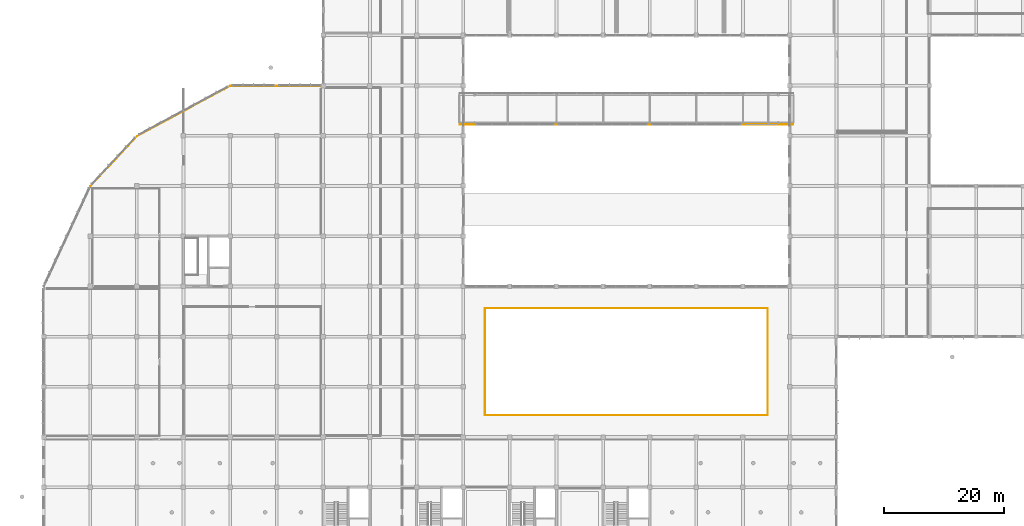
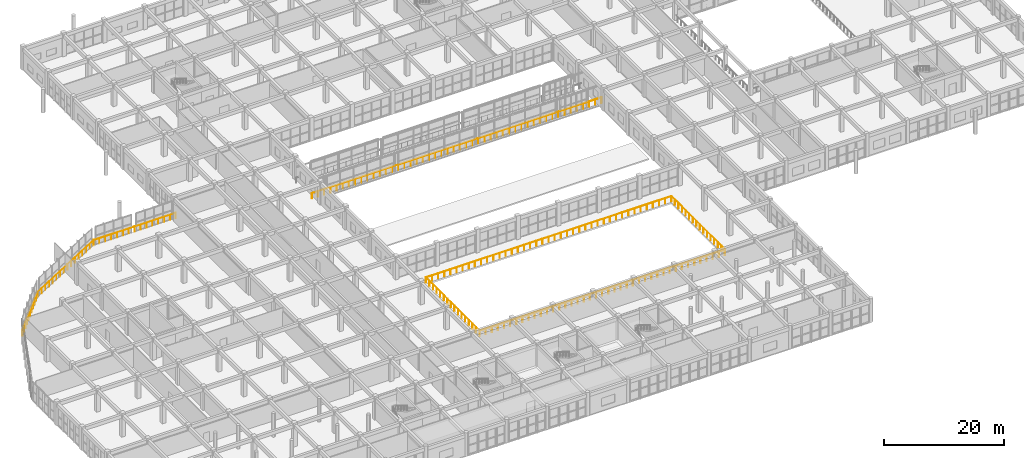
# One storey, part 164 of 167: 8 railings.
"""IFC4 building model written with IfcOpenShell, lengths in metres."""

from ifc_helpers import new_model, si_unit, direction, frame, origin, origin_2d, place, context, subcontext, project, spatial, hollow_rectangle, circle, extrude, material, material_profile, profile_set, type_object, element, save


model = new_model("IFC4")

# Units and contexts
model_context = context("Model", 3, precision=1e-05, world=origin(), true_north=direction((0.0, 1.0)))
body_context = subcontext(model_context, "Body", "Model", "MODEL_VIEW")
ifc_project = project(units=[si_unit("LENGTHUNIT", "METRE"), si_unit("AREAUNIT", "SQUARE_METRE"), si_unit("VOLUMEUNIT", "CUBIC_METRE"), si_unit("PLANEANGLEUNIT", "RADIAN"), si_unit("MASSUNIT", "GRAM", prefix="KILO")], contexts=[model_context])

# Site, building, storey
site_placement = place(None, origin())
site = spatial("IfcSite", under=ifc_project, at=site_placement, CompositionType="ELEMENT")
building_placement = place(site_placement, origin())
building = spatial("IfcBuilding", under=site, at=building_placement, Name="Zizhar Promenade General Hospital", CompositionType="ELEMENT")
storey_placement = place(building_placement, frame((0.0, 0.0, 9.60009765625)))
storey = spatial("IfcBuildingStorey", under=building, at=storey_placement, Name="L02", CompositionType="ELEMENT", Elevation=9.60009765625)

# Railings
ifc_material_1 = material(Name="Anodised aluminium 6063-T6 and glass", Category="aluminium")
ifc_material_profile_1 = material_profile(ifc_material_1, hollow_rectangle(XDim=0.06005859375, YDim=0.1201171875, WallThickness=0.00390625, at=origin_2d()))
ifc_profile_set_1 = profile_set([ifc_material_profile_1], Name="Anodised aluminium 6063-T6 and glass")
railing_type_1 = type_object("IfcRailingType", Name="RL-ATRIUM-GUARD-1150", PredefinedType="GUARDRAIL", material=ifc_profile_set_1)
railing_1_placement = place(storey_placement, frame((73.85009765625, 28.85009765625, 0.0)))
element("IfcRailing", 1, at=railing_1_placement, inside=storey, type_object=railing_type_1, Name="Main Hall Atrium Void Guardrail L02-1", PredefinedType="GUARDRAIL", context=body_context, shape_type="SweptSolid", body=[
    extrude(circle(Radius=0.02392578125, at=origin_2d()), frame((0.0, 0.0, 1.1259765625), z_axis=(1.0, 0.0, 0.0), x_axis=(0.0, 1.0, 0.0)), (0.0, 0.0, 1.0), 47.2998046875),
    extrude(circle(Radius=0.02099609375, at=origin_2d()), origin(), (0.0, 0.0, 1.0), 1.101806640625),
    extrude(circle(Radius=0.02099609375, at=origin_2d()), frame((1.1826171875, 0.0, 0.0)), (0.0, 0.0, 1.0), 1.101806640625),
    extrude(circle(Radius=0.02099609375, at=origin_2d()), frame((2.364990234375, 0.0, 0.0)), (0.0, 0.0, 1.0), 1.101806640625),
    extrude(circle(Radius=0.02099609375, at=origin_2d()), frame((3.54736328125, 0.0, 0.0)), (0.0, 0.0, 1.0), 1.101806640625),
    extrude(circle(Radius=0.02099609375, at=origin_2d()), frame((4.72998046875, 0.0, 0.0)), (0.0, 0.0, 1.0), 1.101806640625),
    extrude(circle(Radius=0.02099609375, at=origin_2d()), frame((5.91259765625, 0.0, 0.0)), (0.0, 0.0, 1.0), 1.101806640625),
    extrude(circle(Radius=0.02099609375, at=origin_2d()), frame((7.094970703125, 0.0, 0.0)), (0.0, 0.0, 1.0), 1.101806640625),
    extrude(circle(Radius=0.02099609375, at=origin_2d()), frame((8.27734375, 0.0, 0.0)), (0.0, 0.0, 1.0), 1.101806640625),
    extrude(circle(Radius=0.02099609375, at=origin_2d()), frame((9.4599609375, 0.0, 0.0)), (0.0, 0.0, 1.0), 1.101806640625),
    extrude(circle(Radius=0.02099609375, at=origin_2d()), frame((10.642578125, 0.0, 0.0)), (0.0, 0.0, 1.0), 1.101806640625),
    extrude(circle(Radius=0.02099609375, at=origin_2d()), frame((11.824951171875, 0.0, 0.0)), (0.0, 0.0, 1.0), 1.101806640625),
    extrude(circle(Radius=0.02099609375, at=origin_2d()), frame((13.007568359375, 0.0, 0.0)), (0.0, 0.0, 1.0), 1.101806640625),
    extrude(circle(Radius=0.02099609375, at=origin_2d()), frame((14.18994140625, 0.0, 0.0)), (0.0, 0.0, 1.0), 1.101806640625),
    extrude(circle(Radius=0.02099609375, at=origin_2d()), frame((15.37255859375, 0.0, 0.0)), (0.0, 0.0, 1.0), 1.101806640625),
    extrude(circle(Radius=0.02099609375, at=origin_2d()), frame((16.554931640625, 0.0, 0.0)), (0.0, 0.0, 1.0), 1.101806640625),
    extrude(circle(Radius=0.02099609375, at=origin_2d()), frame((17.7373046875, 0.0, 0.0)), (0.0, 0.0, 1.0), 1.101806640625),
    extrude(circle(Radius=0.02099609375, at=origin_2d()), frame((18.919921875, 0.0, 0.0)), (0.0, 0.0, 1.0), 1.101806640625),
    extrude(circle(Radius=0.02099609375, at=origin_2d()), frame((20.1025390625, 0.0, 0.0)), (0.0, 0.0, 1.0), 1.101806640625),
    extrude(circle(Radius=0.02099609375, at=origin_2d()), frame((21.284912109375, 0.0, 0.0)), (0.0, 0.0, 1.0), 1.101806640625),
    extrude(circle(Radius=0.02099609375, at=origin_2d()), frame((22.46728515625, 0.0, 0.0)), (0.0, 0.0, 1.0), 1.101806640625),
    extrude(circle(Radius=0.02099609375, at=origin_2d()), frame((23.64990234375, 0.0, 0.0)), (0.0, 0.0, 1.0), 1.101806640625),
    extrude(circle(Radius=0.02099609375, at=origin_2d()), frame((24.83251953125, 0.0, 0.0)), (0.0, 0.0, 1.0), 1.101806640625),
    extrude(circle(Radius=0.02099609375, at=origin_2d()), frame((26.014892578125, 0.0, 0.0)), (0.0, 0.0, 1.0), 1.101806640625),
    extrude(circle(Radius=0.02099609375, at=origin_2d()), frame((27.197265625, 0.0, 0.0)), (0.0, 0.0, 1.0), 1.101806640625),
    extrude(circle(Radius=0.02099609375, at=origin_2d()), frame((28.3798828125, 0.0, 0.0)), (0.0, 0.0, 1.0), 1.101806640625),
    extrude(circle(Radius=0.02099609375, at=origin_2d()), frame((29.5625, 0.0, 0.0)), (0.0, 0.0, 1.0), 1.101806640625),
    extrude(circle(Radius=0.02099609375, at=origin_2d()), frame((30.744873046875, 0.0, 0.0)), (0.0, 0.0, 1.0), 1.101806640625),
    extrude(circle(Radius=0.02099609375, at=origin_2d()), frame((31.927490234375, 0.0, 0.0)), (0.0, 0.0, 1.0), 1.101806640625),
    extrude(circle(Radius=0.02099609375, at=origin_2d()), frame((33.10986328125, 0.0, 0.0)), (0.0, 0.0, 1.0), 1.101806640625),
    extrude(circle(Radius=0.02099609375, at=origin_2d()), frame((34.29248046875, 0.0, 0.0)), (0.0, 0.0, 1.0), 1.101806640625),
    extrude(circle(Radius=0.02099609375, at=origin_2d()), frame((35.474853515625, 0.0, 0.0)), (0.0, 0.0, 1.0), 1.101806640625),
    extrude(circle(Radius=0.02099609375, at=origin_2d()), frame((36.6572265625, 0.0, 0.0)), (0.0, 0.0, 1.0), 1.101806640625),
    extrude(circle(Radius=0.02099609375, at=origin_2d()), frame((37.83984375, 0.0, 0.0)), (0.0, 0.0, 1.0), 1.101806640625),
    extrude(circle(Radius=0.02099609375, at=origin_2d()), frame((39.0224609375, 0.0, 0.0)), (0.0, 0.0, 1.0), 1.101806640625),
    extrude(circle(Radius=0.02099609375, at=origin_2d()), frame((40.204833984375, 0.0, 0.0)), (0.0, 0.0, 1.0), 1.101806640625),
    extrude(circle(Radius=0.02099609375, at=origin_2d()), frame((41.38720703125, 0.0, 0.0)), (0.0, 0.0, 1.0), 1.101806640625),
    extrude(circle(Radius=0.02099609375, at=origin_2d()), frame((42.56982421875, 0.0, 0.0)), (0.0, 0.0, 1.0), 1.101806640625),
    extrude(circle(Radius=0.02099609375, at=origin_2d()), frame((43.75244140625, 0.0, 0.0)), (0.0, 0.0, 1.0), 1.101806640625),
    extrude(circle(Radius=0.02099609375, at=origin_2d()), frame((44.934814453125, 0.0, 0.0)), (0.0, 0.0, 1.0), 1.101806640625),
    extrude(circle(Radius=0.02099609375, at=origin_2d()), frame((46.1171875, 0.0, 0.0)), (0.0, 0.0, 1.0), 1.101806640625),
    extrude(circle(Radius=0.02099609375, at=origin_2d()), frame((47.2998046875, 0.0, 0.0)), (0.0, 0.0, 1.0), 1.101806640625),
])
railing_2_placement = place(storey_placement, frame((121.14990234375, 28.85009765625, 0.0)))
element("IfcRailing", 2, at=railing_2_placement, inside=storey, type_object=railing_type_1, Name="Main Hall Atrium Void Guardrail L02-2", PredefinedType="GUARDRAIL", context=body_context, shape_type="SweptSolid", body=[
    extrude(circle(Radius=0.02392578125, at=origin_2d()), frame((0.0, 0.0, 1.1259765625), z_axis=(0.0, 1.0, 0.0), x_axis=(-1.0, 0.0, 0.0)), (0.0, 0.0, 1.0), 17.89990234375),
    extrude(circle(Radius=0.02099609375, at=origin_2d()), origin(), (0.0, 0.0, 1.0), 1.101806640625),
    extrude(circle(Radius=0.02099609375, at=origin_2d()), frame((0.0, 1.193359375, 0.0)), (0.0, 0.0, 1.0), 1.101806640625),
    extrude(circle(Radius=0.02099609375, at=origin_2d()), frame((0.0, 2.38671875, 0.0)), (0.0, 0.0, 1.0), 1.101806640625),
    extrude(circle(Radius=0.02099609375, at=origin_2d()), frame((0.0, 3.580078125, 0.0)), (0.0, 0.0, 1.0), 1.101806640625),
    extrude(circle(Radius=0.02099609375, at=origin_2d()), frame((0.0, 4.773193359375, 0.0)), (0.0, 0.0, 1.0), 1.101806640625),
    extrude(circle(Radius=0.02099609375, at=origin_2d()), frame((0.0, 5.966552734375, 0.0)), (0.0, 0.0, 1.0), 1.101806640625),
    extrude(circle(Radius=0.02099609375, at=origin_2d()), frame((0.0, 7.159912109375, 0.0)), (0.0, 0.0, 1.0), 1.101806640625),
    extrude(circle(Radius=0.02099609375, at=origin_2d()), frame((0.0, 8.353271484375, 0.0)), (0.0, 0.0, 1.0), 1.101806640625),
    extrude(circle(Radius=0.02099609375, at=origin_2d()), frame((0.0, 9.546630859375, 0.0)), (0.0, 0.0, 1.0), 1.101806640625),
    extrude(circle(Radius=0.02099609375, at=origin_2d()), frame((0.0, 10.739990234375, 0.0)), (0.0, 0.0, 1.0), 1.101806640625),
    extrude(circle(Radius=0.02099609375, at=origin_2d()), frame((0.0, 11.933349609375, 0.0)), (0.0, 0.0, 1.0), 1.101806640625),
    extrude(circle(Radius=0.02099609375, at=origin_2d()), frame((0.0, 13.126708984375, 0.0)), (0.0, 0.0, 1.0), 1.101806640625),
    extrude(circle(Radius=0.02099609375, at=origin_2d()), frame((0.0, 14.31982421875, 0.0)), (0.0, 0.0, 1.0), 1.101806640625),
    extrude(circle(Radius=0.02099609375, at=origin_2d()), frame((0.0, 15.51318359375, 0.0)), (0.0, 0.0, 1.0), 1.101806640625),
    extrude(circle(Radius=0.02099609375, at=origin_2d()), frame((0.0, 16.70654296875, 0.0)), (0.0, 0.0, 1.0), 1.101806640625),
    extrude(circle(Radius=0.02099609375, at=origin_2d()), frame((0.0, 17.89990234375, 0.0)), (0.0, 0.0, 1.0), 1.101806640625),
])
railing_3_placement = place(storey_placement, frame((121.14990234375, 46.75, 0.0)))
element("IfcRailing", 3, at=railing_3_placement, inside=storey, type_object=railing_type_1, Name="Main Hall Atrium Void Guardrail L02-3", PredefinedType="GUARDRAIL", context=body_context, shape_type="SweptSolid", body=[
    extrude(circle(Radius=0.02392578125, at=origin_2d()), frame((0.0, 0.0, 1.1259765625), z_axis=(-1.0, 0.0, 0.0), x_axis=(0.0, -1.0, 0.0)), (0.0, 0.0, 1.0), 47.2998046875),
    extrude(circle(Radius=0.02099609375, at=origin_2d()), origin(), (0.0, 0.0, 1.0), 1.101806640625),
    extrude(circle(Radius=0.02099609375, at=origin_2d()), frame((-1.1826171875, 0.0, 0.0)), (0.0, 0.0, 1.0), 1.101806640625),
    extrude(circle(Radius=0.02099609375, at=origin_2d()), frame((-2.364990234375, 0.0, 0.0)), (0.0, 0.0, 1.0), 1.101806640625),
    extrude(circle(Radius=0.02099609375, at=origin_2d()), frame((-3.54736328125, 0.0, 0.0)), (0.0, 0.0, 1.0), 1.101806640625),
    extrude(circle(Radius=0.02099609375, at=origin_2d()), frame((-4.72998046875, 0.0, 0.0)), (0.0, 0.0, 1.0), 1.101806640625),
    extrude(circle(Radius=0.02099609375, at=origin_2d()), frame((-5.91259765625, 0.0, 0.0)), (0.0, 0.0, 1.0), 1.101806640625),
    extrude(circle(Radius=0.02099609375, at=origin_2d()), frame((-7.094970703125, 0.0, 0.0)), (0.0, 0.0, 1.0), 1.101806640625),
    extrude(circle(Radius=0.02099609375, at=origin_2d()), frame((-8.27734375, 0.0, 0.0)), (0.0, 0.0, 1.0), 1.101806640625),
    extrude(circle(Radius=0.02099609375, at=origin_2d()), frame((-9.4599609375, 0.0, 0.0)), (0.0, 0.0, 1.0), 1.101806640625),
    extrude(circle(Radius=0.02099609375, at=origin_2d()), frame((-10.642578125, 0.0, 0.0)), (0.0, 0.0, 1.0), 1.101806640625),
    extrude(circle(Radius=0.02099609375, at=origin_2d()), frame((-11.824951171875, 0.0, 0.0)), (0.0, 0.0, 1.0), 1.101806640625),
    extrude(circle(Radius=0.02099609375, at=origin_2d()), frame((-13.007568359375, 0.0, 0.0)), (0.0, 0.0, 1.0), 1.101806640625),
    extrude(circle(Radius=0.02099609375, at=origin_2d()), frame((-14.18994140625, 0.0, 0.0)), (0.0, 0.0, 1.0), 1.101806640625),
    extrude(circle(Radius=0.02099609375, at=origin_2d()), frame((-15.37255859375, 0.0, 0.0)), (0.0, 0.0, 1.0), 1.101806640625),
    extrude(circle(Radius=0.02099609375, at=origin_2d()), frame((-16.554931640625, 0.0, 0.0)), (0.0, 0.0, 1.0), 1.101806640625),
    extrude(circle(Radius=0.02099609375, at=origin_2d()), frame((-17.7373046875, 0.0, 0.0)), (0.0, 0.0, 1.0), 1.101806640625),
    extrude(circle(Radius=0.02099609375, at=origin_2d()), frame((-18.919921875, 0.0, 0.0)), (0.0, 0.0, 1.0), 1.101806640625),
    extrude(circle(Radius=0.02099609375, at=origin_2d()), frame((-20.1025390625, 0.0, 0.0)), (0.0, 0.0, 1.0), 1.101806640625),
    extrude(circle(Radius=0.02099609375, at=origin_2d()), frame((-21.284912109375, 0.0, 0.0)), (0.0, 0.0, 1.0), 1.101806640625),
    extrude(circle(Radius=0.02099609375, at=origin_2d()), frame((-22.46728515625, 0.0, 0.0)), (0.0, 0.0, 1.0), 1.101806640625),
    extrude(circle(Radius=0.02099609375, at=origin_2d()), frame((-23.64990234375, 0.0, 0.0)), (0.0, 0.0, 1.0), 1.101806640625),
    extrude(circle(Radius=0.02099609375, at=origin_2d()), frame((-24.83251953125, 0.0, 0.0)), (0.0, 0.0, 1.0), 1.101806640625),
    extrude(circle(Radius=0.02099609375, at=origin_2d()), frame((-26.014892578125, 0.0, 0.0)), (0.0, 0.0, 1.0), 1.101806640625),
    extrude(circle(Radius=0.02099609375, at=origin_2d()), frame((-27.197265625, 0.0, 0.0)), (0.0, 0.0, 1.0), 1.101806640625),
    extrude(circle(Radius=0.02099609375, at=origin_2d()), frame((-28.3798828125, 0.0, 0.0)), (0.0, 0.0, 1.0), 1.101806640625),
    extrude(circle(Radius=0.02099609375, at=origin_2d()), frame((-29.5625, 0.0, 0.0)), (0.0, 0.0, 1.0), 1.101806640625),
    extrude(circle(Radius=0.02099609375, at=origin_2d()), frame((-30.744873046875, 0.0, 0.0)), (0.0, 0.0, 1.0), 1.101806640625),
    extrude(circle(Radius=0.02099609375, at=origin_2d()), frame((-31.927490234375, 0.0, 0.0)), (0.0, 0.0, 1.0), 1.101806640625),
    extrude(circle(Radius=0.02099609375, at=origin_2d()), frame((-33.10986328125, 0.0, 0.0)), (0.0, 0.0, 1.0), 1.101806640625),
    extrude(circle(Radius=0.02099609375, at=origin_2d()), frame((-34.29248046875, 0.0, 0.0)), (0.0, 0.0, 1.0), 1.101806640625),
    extrude(circle(Radius=0.02099609375, at=origin_2d()), frame((-35.474853515625, 0.0, 0.0)), (0.0, 0.0, 1.0), 1.101806640625),
    extrude(circle(Radius=0.02099609375, at=origin_2d()), frame((-36.6572265625, 0.0, 0.0)), (0.0, 0.0, 1.0), 1.101806640625),
    extrude(circle(Radius=0.02099609375, at=origin_2d()), frame((-37.83984375, 0.0, 0.0)), (0.0, 0.0, 1.0), 1.101806640625),
    extrude(circle(Radius=0.02099609375, at=origin_2d()), frame((-39.0224609375, 0.0, 0.0)), (0.0, 0.0, 1.0), 1.101806640625),
    extrude(circle(Radius=0.02099609375, at=origin_2d()), frame((-40.204833984375, 0.0, 0.0)), (0.0, 0.0, 1.0), 1.101806640625),
    extrude(circle(Radius=0.02099609375, at=origin_2d()), frame((-41.38720703125, 0.0, 0.0)), (0.0, 0.0, 1.0), 1.101806640625),
    extrude(circle(Radius=0.02099609375, at=origin_2d()), frame((-42.56982421875, 0.0, 0.0)), (0.0, 0.0, 1.0), 1.101806640625),
    extrude(circle(Radius=0.02099609375, at=origin_2d()), frame((-43.75244140625, 0.0, 0.0)), (0.0, 0.0, 1.0), 1.101806640625),
    extrude(circle(Radius=0.02099609375, at=origin_2d()), frame((-44.934814453125, 0.0, 0.0)), (0.0, 0.0, 1.0), 1.101806640625),
    extrude(circle(Radius=0.02099609375, at=origin_2d()), frame((-46.1171875, 0.0, 0.0)), (0.0, 0.0, 1.0), 1.101806640625),
    extrude(circle(Radius=0.02099609375, at=origin_2d()), frame((-47.2998046875, 0.0, 0.0)), (0.0, 0.0, 1.0), 1.101806640625),
])
railing_4_placement = place(storey_placement, frame((73.85009765625, 46.75, 0.0)))
element("IfcRailing", 4, at=railing_4_placement, inside=storey, type_object=railing_type_1, Name="Main Hall Atrium Void Guardrail L02-4", PredefinedType="GUARDRAIL", context=body_context, shape_type="SweptSolid", body=[
    extrude(circle(Radius=0.02392578125, at=origin_2d()), frame((0.0, 0.0, 1.1259765625), z_axis=(0.0, -1.0, 0.0), x_axis=(1.0, 0.0, 0.0)), (0.0, 0.0, 1.0), 17.89990234375),
    extrude(circle(Radius=0.02099609375, at=origin_2d()), origin(), (0.0, 0.0, 1.0), 1.101806640625),
    extrude(circle(Radius=0.02099609375, at=origin_2d()), frame((0.0, -1.193359375, 0.0)), (0.0, 0.0, 1.0), 1.101806640625),
    extrude(circle(Radius=0.02099609375, at=origin_2d()), frame((0.0, -2.38671875, 0.0)), (0.0, 0.0, 1.0), 1.101806640625),
    extrude(circle(Radius=0.02099609375, at=origin_2d()), frame((0.0, -3.580078125, 0.0)), (0.0, 0.0, 1.0), 1.101806640625),
    extrude(circle(Radius=0.02099609375, at=origin_2d()), frame((0.0, -4.773193359375, 0.0)), (0.0, 0.0, 1.0), 1.101806640625),
    extrude(circle(Radius=0.02099609375, at=origin_2d()), frame((0.0, -5.966552734375, 0.0)), (0.0, 0.0, 1.0), 1.101806640625),
    extrude(circle(Radius=0.02099609375, at=origin_2d()), frame((0.0, -7.159912109375, 0.0)), (0.0, 0.0, 1.0), 1.101806640625),
    extrude(circle(Radius=0.02099609375, at=origin_2d()), frame((0.0, -8.353271484375, 0.0)), (0.0, 0.0, 1.0), 1.101806640625),
    extrude(circle(Radius=0.02099609375, at=origin_2d()), frame((0.0, -9.546630859375, 0.0)), (0.0, 0.0, 1.0), 1.101806640625),
    extrude(circle(Radius=0.02099609375, at=origin_2d()), frame((0.0, -10.739990234375, 0.0)), (0.0, 0.0, 1.0), 1.101806640625),
    extrude(circle(Radius=0.02099609375, at=origin_2d()), frame((0.0, -11.933349609375, 0.0)), (0.0, 0.0, 1.0), 1.101806640625),
    extrude(circle(Radius=0.02099609375, at=origin_2d()), frame((0.0, -13.126708984375, 0.0)), (0.0, 0.0, 1.0), 1.101806640625),
    extrude(circle(Radius=0.02099609375, at=origin_2d()), frame((0.0, -14.31982421875, 0.0)), (0.0, 0.0, 1.0), 1.101806640625),
    extrude(circle(Radius=0.02099609375, at=origin_2d()), frame((0.0, -15.51318359375, 0.0)), (0.0, 0.0, 1.0), 1.101806640625),
    extrude(circle(Radius=0.02099609375, at=origin_2d()), frame((0.0, -16.70654296875, 0.0)), (0.0, 0.0, 1.0), 1.101806640625),
    extrude(circle(Radius=0.02099609375, at=origin_2d()), frame((0.0, -17.89990234375, 0.0)), (0.0, 0.0, 1.0), 1.101806640625),
])
ifc_material_2 = material(Name="Steel S355", Category="steel")
ifc_material_profile_2 = material_profile(ifc_material_2, hollow_rectangle(XDim=0.06005859375, YDim=0.1201171875, WallThickness=0.00390625, at=origin_2d()))
ifc_profile_set_2 = profile_set([ifc_material_profile_2], Name="Steel S355")
railing_type_2 = type_object("IfcRailingType", Name="RL-GUARD-EXT-1150", PredefinedType="GUARDRAIL", material=ifc_profile_set_2)
railing_5_placement = place(storey_placement, frame((7.860107421875, 67.14990234375, 0.0)))
element("IfcRailing", 5, at=railing_5_placement, inside=storey, type_object=railing_type_2, Name="Perimeter Safety Guardrail L02-03", PredefinedType="GUARDRAIL", context=body_context, shape_type="SweptSolid", body=[
    extrude(circle(Radius=0.02392578125, at=origin_2d()), frame((0.0, 0.0, 1.1259765625), z_axis=(0.680871152202, 0.732403218247, 0.0), x_axis=(-0.732403218247, 0.680871152202, 0.0)), (0.0, 0.0, 1.0), 11.45556640625),
    extrude(circle(Radius=0.02099609375, at=origin_2d()), origin(), (0.0, 0.0, 1.0), 1.101806640625),
    extrude(circle(Radius=0.02099609375, at=origin_2d()), frame((0.780029296875, 0.839111328125, 0.0)), (0.0, 0.0, 1.0), 1.101806640625),
    extrude(circle(Radius=0.02099609375, at=origin_2d()), frame((1.56005859375, 1.677978515625, 0.0)), (0.0, 0.0, 1.0), 1.101806640625),
    extrude(circle(Radius=0.02099609375, at=origin_2d()), frame((2.33984375, 2.51708984375, 0.0)), (0.0, 0.0, 1.0), 1.101806640625),
    extrude(circle(Radius=0.02099609375, at=origin_2d()), frame((3.119873046875, 3.35595703125, 0.0)), (0.0, 0.0, 1.0), 1.101806640625),
    extrude(circle(Radius=0.02099609375, at=origin_2d()), frame((3.89990234375, 4.195068359375, 0.0)), (0.0, 0.0, 1.0), 1.101806640625),
    extrude(circle(Radius=0.02099609375, at=origin_2d()), frame((4.679931640625, 5.0341796875, 0.0)), (0.0, 0.0, 1.0), 1.101806640625),
    extrude(circle(Radius=0.02099609375, at=origin_2d()), frame((5.4599609375, 5.873046875, 0.0)), (0.0, 0.0, 1.0), 1.101806640625),
    extrude(circle(Radius=0.02099609375, at=origin_2d()), frame((6.23974609375, 6.712158203125, 0.0)), (0.0, 0.0, 1.0), 1.101806640625),
    extrude(circle(Radius=0.02099609375, at=origin_2d()), frame((7.019775390625, 7.551025390625, 0.0)), (0.0, 0.0, 1.0), 1.101806640625),
    extrude(circle(Radius=0.02099609375, at=origin_2d()), frame((7.7998046875, 8.39013671875, 0.0)), (0.0, 0.0, 1.0), 1.101806640625),
])
railing_6_placement = place(storey_placement, frame((15.659912109375, 75.5400390625, 0.0)))
element("IfcRailing", 6, at=railing_6_placement, inside=storey, type_object=railing_type_2, Name="Perimeter Safety Guardrail L02-04", PredefinedType="GUARDRAIL", context=body_context, shape_type="SweptSolid", body=[
    extrude(circle(Radius=0.02392578125, at=origin_2d()), frame((0.0, 0.0, 1.1259765625), z_axis=(0.880438273094, 0.474160782089, 0.0), x_axis=(-0.474160782089, 0.880438273094, 0.0)), (0.0, 0.0, 1.0), 17.673095703125),
    extrude(circle(Radius=0.02099609375, at=origin_2d()), origin(), (0.0, 0.0, 1.0), 1.101806640625),
    extrude(circle(Radius=0.02099609375, at=origin_2d()), frame((1.037353515625, 0.55859375, 0.0)), (0.0, 0.0, 1.0), 1.101806640625),
    extrude(circle(Radius=0.02099609375, at=origin_2d()), frame((2.07470703125, 1.117431640625, 0.0)), (0.0, 0.0, 1.0), 1.101806640625),
    extrude(circle(Radius=0.02099609375, at=origin_2d()), frame((3.112060546875, 1.676025390625, 0.0)), (0.0, 0.0, 1.0), 1.101806640625),
    extrude(circle(Radius=0.02099609375, at=origin_2d()), frame((4.1494140625, 2.234619140625, 0.0)), (0.0, 0.0, 1.0), 1.101806640625),
    extrude(circle(Radius=0.02099609375, at=origin_2d()), frame((5.186767578125, 2.793212890625, 0.0)), (0.0, 0.0, 1.0), 1.101806640625),
    extrude(circle(Radius=0.02099609375, at=origin_2d()), frame((6.22412109375, 3.35205078125, 0.0)), (0.0, 0.0, 1.0), 1.101806640625),
    extrude(circle(Radius=0.02099609375, at=origin_2d()), frame((7.261474609375, 3.91064453125, 0.0)), (0.0, 0.0, 1.0), 1.101806640625),
    extrude(circle(Radius=0.02099609375, at=origin_2d()), frame((8.298583984375, 4.46923828125, 0.0)), (0.0, 0.0, 1.0), 1.101806640625),
    extrude(circle(Radius=0.02099609375, at=origin_2d()), frame((9.3359375, 5.02783203125, 0.0)), (0.0, 0.0, 1.0), 1.101806640625),
    extrude(circle(Radius=0.02099609375, at=origin_2d()), frame((10.373291015625, 5.586669921875, 0.0)), (0.0, 0.0, 1.0), 1.101806640625),
    extrude(circle(Radius=0.02099609375, at=origin_2d()), frame((11.41064453125, 6.145263671875, 0.0)), (0.0, 0.0, 1.0), 1.101806640625),
    extrude(circle(Radius=0.02099609375, at=origin_2d()), frame((12.447998046875, 6.703857421875, 0.0)), (0.0, 0.0, 1.0), 1.101806640625),
    extrude(circle(Radius=0.02099609375, at=origin_2d()), frame((13.4853515625, 7.262451171875, 0.0)), (0.0, 0.0, 1.0), 1.101806640625),
    extrude(circle(Radius=0.02099609375, at=origin_2d()), frame((14.522705078125, 7.8212890625, 0.0)), (0.0, 0.0, 1.0), 1.101806640625),
    extrude(circle(Radius=0.02099609375, at=origin_2d()), frame((15.56005859375, 8.3798828125, 0.0)), (0.0, 0.0, 1.0), 1.101806640625),
])
railing_7_placement = place(storey_placement, frame((31.219970703125, 83.919921875, 0.0)))
element("IfcRailing", 7, at=railing_7_placement, inside=storey, type_object=railing_type_2, Name="Perimeter Safety Guardrail L02-05", PredefinedType="GUARDRAIL", context=body_context, shape_type="SweptSolid", body=[
    extrude(circle(Radius=0.02392578125, at=origin_2d()), frame((0.0, 0.0, 1.1259765625), z_axis=(1.0, 0.0, 0.0), x_axis=(0.0, 1.0, 0.0)), (0.0, 0.0, 1.0), 15.880126953125),
    extrude(circle(Radius=0.02099609375, at=origin_2d()), origin(), (0.0, 0.0, 1.0), 1.101806640625),
    extrude(circle(Radius=0.02099609375, at=origin_2d()), frame((1.13427734375, 0.0, 0.0)), (0.0, 0.0, 1.0), 1.101806640625),
    extrude(circle(Radius=0.02099609375, at=origin_2d()), frame((2.2685546875, 0.0, 0.0)), (0.0, 0.0, 1.0), 1.101806640625),
    extrude(circle(Radius=0.02099609375, at=origin_2d()), frame((3.40283203125, 0.0, 0.0)), (0.0, 0.0, 1.0), 1.101806640625),
    extrude(circle(Radius=0.02099609375, at=origin_2d()), frame((4.537109375, 0.0, 0.0)), (0.0, 0.0, 1.0), 1.101806640625),
    extrude(circle(Radius=0.02099609375, at=origin_2d()), frame((5.67138671875, 0.0, 0.0)), (0.0, 0.0, 1.0), 1.101806640625),
    extrude(circle(Radius=0.02099609375, at=origin_2d()), frame((6.8056640625, 0.0, 0.0)), (0.0, 0.0, 1.0), 1.101806640625),
    extrude(circle(Radius=0.02099609375, at=origin_2d()), frame((7.93994140625, 0.0, 0.0)), (0.0, 0.0, 1.0), 1.101806640625),
    extrude(circle(Radius=0.02099609375, at=origin_2d()), frame((9.074462890625, 0.0, 0.0)), (0.0, 0.0, 1.0), 1.101806640625),
    extrude(circle(Radius=0.02099609375, at=origin_2d()), frame((10.208740234375, 0.0, 0.0)), (0.0, 0.0, 1.0), 1.101806640625),
    extrude(circle(Radius=0.02099609375, at=origin_2d()), frame((11.343017578125, 0.0, 0.0)), (0.0, 0.0, 1.0), 1.101806640625),
    extrude(circle(Radius=0.02099609375, at=origin_2d()), frame((12.477294921875, 0.0, 0.0)), (0.0, 0.0, 1.0), 1.101806640625),
    extrude(circle(Radius=0.02099609375, at=origin_2d()), frame((13.611572265625, 0.0, 0.0)), (0.0, 0.0, 1.0), 1.101806640625),
    extrude(circle(Radius=0.02099609375, at=origin_2d()), frame((14.745849609375, 0.0, 0.0)), (0.0, 0.0, 1.0), 1.101806640625),
    extrude(circle(Radius=0.02099609375, at=origin_2d()), frame((15.880126953125, 0.0, 0.0)), (0.0, 0.0, 1.0), 1.101806640625),
])
railing_8_placement = place(storey_placement, frame((69.60009765625, 77.47998046875, 0.0)))
element("IfcRailing", 8, at=railing_8_placement, inside=storey, type_object=railing_type_2, Name="Perimeter Safety Guardrail L02-01", PredefinedType="GUARDRAIL", context=body_context, shape_type="SweptSolid", body=[
    extrude(circle(Radius=0.02392578125, at=origin_2d()), frame((0.0, 0.0, 1.1259765625), z_axis=(1.0, 0.0, 0.0), x_axis=(0.0, 1.0, 0.0)), (0.0, 0.0, 1.0), 55.7998046875),
    extrude(circle(Radius=0.02099609375, at=origin_2d()), origin(), (0.0, 0.0, 1.0), 1.101806640625),
    extrude(circle(Radius=0.02099609375, at=origin_2d()), frame((1.187255859375, 0.0, 0.0)), (0.0, 0.0, 1.0), 1.101806640625),
    extrude(circle(Radius=0.02099609375, at=origin_2d()), frame((2.37451171875, 0.0, 0.0)), (0.0, 0.0, 1.0), 1.101806640625),
    extrude(circle(Radius=0.02099609375, at=origin_2d()), frame((3.561767578125, 0.0, 0.0)), (0.0, 0.0, 1.0), 1.101806640625),
    extrude(circle(Radius=0.02099609375, at=origin_2d()), frame((4.7490234375, 0.0, 0.0)), (0.0, 0.0, 1.0), 1.101806640625),
    extrude(circle(Radius=0.02099609375, at=origin_2d()), frame((5.93603515625, 0.0, 0.0)), (0.0, 0.0, 1.0), 1.101806640625),
    extrude(circle(Radius=0.02099609375, at=origin_2d()), frame((7.123291015625, 0.0, 0.0)), (0.0, 0.0, 1.0), 1.101806640625),
    extrude(circle(Radius=0.02099609375, at=origin_2d()), frame((8.310546875, 0.0, 0.0)), (0.0, 0.0, 1.0), 1.101806640625),
    extrude(circle(Radius=0.02099609375, at=origin_2d()), frame((9.497802734375, 0.0, 0.0)), (0.0, 0.0, 1.0), 1.101806640625),
    extrude(circle(Radius=0.02099609375, at=origin_2d()), frame((10.68505859375, 0.0, 0.0)), (0.0, 0.0, 1.0), 1.101806640625),
    extrude(circle(Radius=0.02099609375, at=origin_2d()), frame((11.872314453125, 0.0, 0.0)), (0.0, 0.0, 1.0), 1.101806640625),
    extrude(circle(Radius=0.02099609375, at=origin_2d()), frame((13.0595703125, 0.0, 0.0)), (0.0, 0.0, 1.0), 1.101806640625),
    extrude(circle(Radius=0.02099609375, at=origin_2d()), frame((14.246826171875, 0.0, 0.0)), (0.0, 0.0, 1.0), 1.101806640625),
    extrude(circle(Radius=0.02099609375, at=origin_2d()), frame((15.43408203125, 0.0, 0.0)), (0.0, 0.0, 1.0), 1.101806640625),
    extrude(circle(Radius=0.02099609375, at=origin_2d()), frame((16.621337890625, 0.0, 0.0)), (0.0, 0.0, 1.0), 1.101806640625),
    extrude(circle(Radius=0.02099609375, at=origin_2d()), frame((17.808349609375, 0.0, 0.0)), (0.0, 0.0, 1.0), 1.101806640625),
    extrude(circle(Radius=0.02099609375, at=origin_2d()), frame((18.99560546875, 0.0, 0.0)), (0.0, 0.0, 1.0), 1.101806640625),
    extrude(circle(Radius=0.02099609375, at=origin_2d()), frame((20.182861328125, 0.0, 0.0)), (0.0, 0.0, 1.0), 1.101806640625),
    extrude(circle(Radius=0.02099609375, at=origin_2d()), frame((21.3701171875, 0.0, 0.0)), (0.0, 0.0, 1.0), 1.101806640625),
    extrude(circle(Radius=0.02099609375, at=origin_2d()), frame((22.557373046875, 0.0, 0.0)), (0.0, 0.0, 1.0), 1.101806640625),
    extrude(circle(Radius=0.02099609375, at=origin_2d()), frame((23.74462890625, 0.0, 0.0)), (0.0, 0.0, 1.0), 1.101806640625),
    extrude(circle(Radius=0.02099609375, at=origin_2d()), frame((24.931884765625, 0.0, 0.0)), (0.0, 0.0, 1.0), 1.101806640625),
    extrude(circle(Radius=0.02099609375, at=origin_2d()), frame((26.119140625, 0.0, 0.0)), (0.0, 0.0, 1.0), 1.101806640625),
    extrude(circle(Radius=0.02099609375, at=origin_2d()), frame((27.306396484375, 0.0, 0.0)), (0.0, 0.0, 1.0), 1.101806640625),
    extrude(circle(Radius=0.02099609375, at=origin_2d()), frame((28.493408203125, 0.0, 0.0)), (0.0, 0.0, 1.0), 1.101806640625),
    extrude(circle(Radius=0.02099609375, at=origin_2d()), frame((29.6806640625, 0.0, 0.0)), (0.0, 0.0, 1.0), 1.101806640625),
    extrude(circle(Radius=0.02099609375, at=origin_2d()), frame((30.867919921875, 0.0, 0.0)), (0.0, 0.0, 1.0), 1.101806640625),
    extrude(circle(Radius=0.02099609375, at=origin_2d()), frame((32.05517578125, 0.0, 0.0)), (0.0, 0.0, 1.0), 1.101806640625),
    extrude(circle(Radius=0.02099609375, at=origin_2d()), frame((33.242431640625, 0.0, 0.0)), (0.0, 0.0, 1.0), 1.101806640625),
    extrude(circle(Radius=0.02099609375, at=origin_2d()), frame((34.4296875, 0.0, 0.0)), (0.0, 0.0, 1.0), 1.101806640625),
    extrude(circle(Radius=0.02099609375, at=origin_2d()), frame((35.616943359375, 0.0, 0.0)), (0.0, 0.0, 1.0), 1.101806640625),
    extrude(circle(Radius=0.02099609375, at=origin_2d()), frame((36.80419921875, 0.0, 0.0)), (0.0, 0.0, 1.0), 1.101806640625),
    extrude(circle(Radius=0.02099609375, at=origin_2d()), frame((37.991455078125, 0.0, 0.0)), (0.0, 0.0, 1.0), 1.101806640625),
    extrude(circle(Radius=0.02099609375, at=origin_2d()), frame((39.178466796875, 0.0, 0.0)), (0.0, 0.0, 1.0), 1.101806640625),
    extrude(circle(Radius=0.02099609375, at=origin_2d()), frame((40.36572265625, 0.0, 0.0)), (0.0, 0.0, 1.0), 1.101806640625),
    extrude(circle(Radius=0.02099609375, at=origin_2d()), frame((41.552978515625, 0.0, 0.0)), (0.0, 0.0, 1.0), 1.101806640625),
    extrude(circle(Radius=0.02099609375, at=origin_2d()), frame((42.740234375, 0.0, 0.0)), (0.0, 0.0, 1.0), 1.101806640625),
    extrude(circle(Radius=0.02099609375, at=origin_2d()), frame((43.927490234375, 0.0, 0.0)), (0.0, 0.0, 1.0), 1.101806640625),
    extrude(circle(Radius=0.02099609375, at=origin_2d()), frame((45.11474609375, 0.0, 0.0)), (0.0, 0.0, 1.0), 1.101806640625),
    extrude(circle(Radius=0.02099609375, at=origin_2d()), frame((46.302001953125, 0.0, 0.0)), (0.0, 0.0, 1.0), 1.101806640625),
    extrude(circle(Radius=0.02099609375, at=origin_2d()), frame((47.4892578125, 0.0, 0.0)), (0.0, 0.0, 1.0), 1.101806640625),
    extrude(circle(Radius=0.02099609375, at=origin_2d()), frame((48.676513671875, 0.0, 0.0)), (0.0, 0.0, 1.0), 1.101806640625),
    extrude(circle(Radius=0.02099609375, at=origin_2d()), frame((49.86376953125, 0.0, 0.0)), (0.0, 0.0, 1.0), 1.101806640625),
    extrude(circle(Radius=0.02099609375, at=origin_2d()), frame((51.05078125, 0.0, 0.0)), (0.0, 0.0, 1.0), 1.101806640625),
    extrude(circle(Radius=0.02099609375, at=origin_2d()), frame((52.238037109375, 0.0, 0.0)), (0.0, 0.0, 1.0), 1.101806640625),
    extrude(circle(Radius=0.02099609375, at=origin_2d()), frame((53.42529296875, 0.0, 0.0)), (0.0, 0.0, 1.0), 1.101806640625),
    extrude(circle(Radius=0.02099609375, at=origin_2d()), frame((54.612548828125, 0.0, 0.0)), (0.0, 0.0, 1.0), 1.101806640625),
    extrude(circle(Radius=0.02099609375, at=origin_2d()), frame((55.7998046875, 0.0, 0.0)), (0.0, 0.0, 1.0), 1.101806640625),
])

save(model, "model.ifc")
